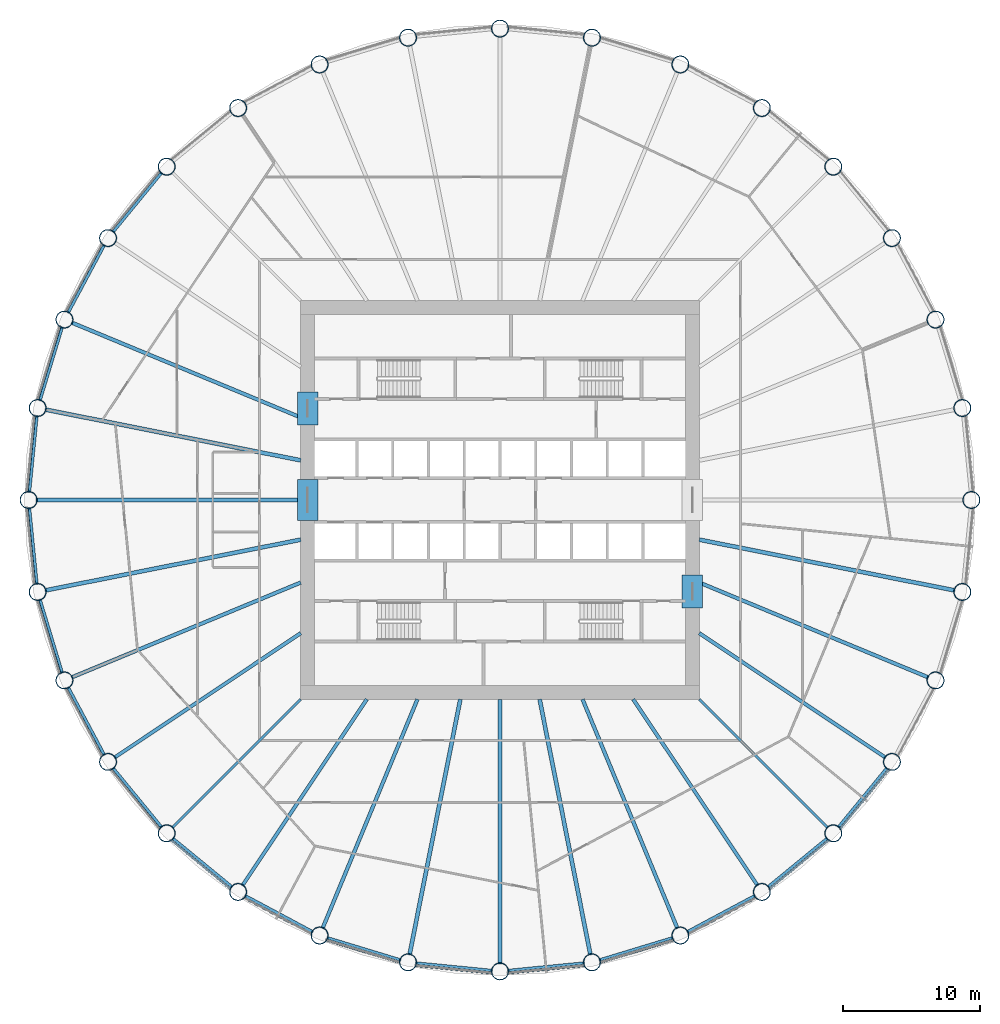
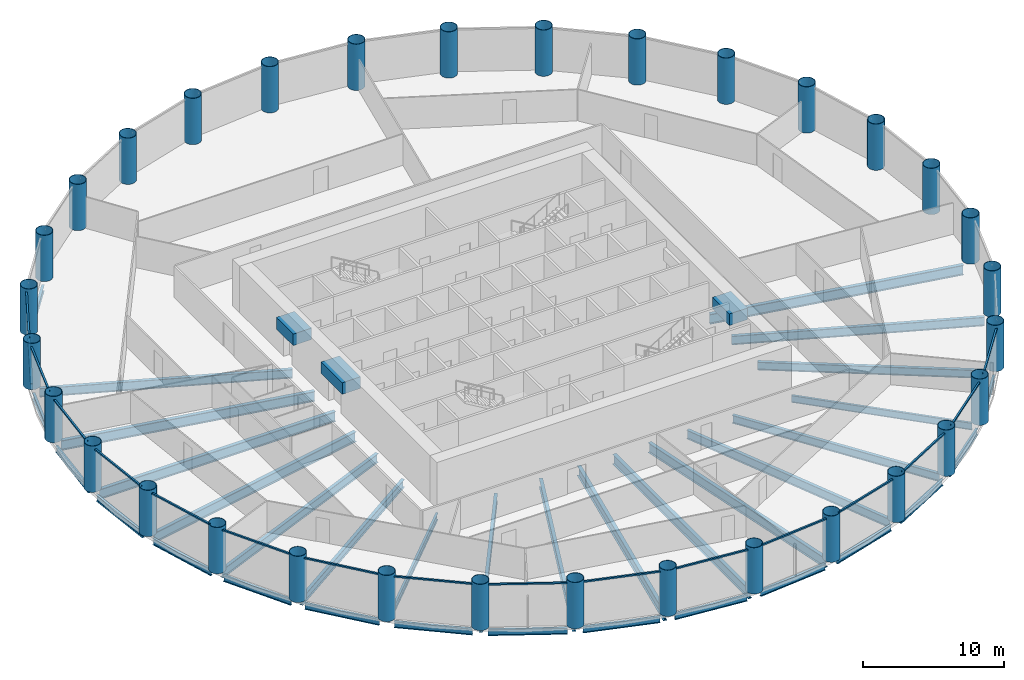
# One storey, part 1 of 9: 38 beams, 32 columns, 16 members, 16 elements without a shape of their own.
"""IFC4 building model written with IfcOpenShell, lengths in metres."""

from ifc_helpers import new_model, si_unit, direction, frame, origin, origin_2d, place, context, subcontext, project, spatial, rectangle, hollow_circle, i_section, extrude, material, material_profile, profile_set, type_object, element, aggregate, save


model = new_model("IFC4")

# Units and contexts
model_context = context("Model", 3, precision=1e-05, world=origin(), true_north=direction((0.0, 1.0)))
body_context = subcontext(model_context, "Body", "Model", "MODEL_VIEW")
ifc_project = project(units=[si_unit("LENGTHUNIT", "METRE"), si_unit("AREAUNIT", "SQUARE_METRE"), si_unit("VOLUMEUNIT", "CUBIC_METRE"), si_unit("PLANEANGLEUNIT", "RADIAN"), si_unit("MASSUNIT", "GRAM", prefix="KILO")], contexts=[model_context])

# Site, building, storey
site_placement = place(None, origin())
site = spatial("IfcSite", under=ifc_project, at=site_placement, CompositionType="ELEMENT")
building_placement = place(site_placement, origin())
building = spatial("IfcBuilding", under=site, at=building_placement, Name="Corvane Civic Tower", CompositionType="ELEMENT")
storey_placement = place(building_placement, frame((0.0, 0.0, 98.5)))
storey = spatial("IfcBuildingStorey", under=building, at=storey_placement, Name="L22", CompositionType="ELEMENT", Elevation=98.5)

# Columns
ifc_material_1 = material(Name="Steel ASTM A572 Gr 50", Category="steel")
ifc_material_profile_1 = material_profile(ifc_material_1, hollow_circle(Radius=0.625, WallThickness=0.035888671875, at=origin_2d()), Name="CHS1250X36")
ifc_profile_set_1 = profile_set([ifc_material_profile_1], Name="Steel ASTM A572 Gr 50")
column_type = type_object("IfcColumnType", Name="COMPOSITE COLUMN CHS1250X36", PredefinedType="COLUMN", material=ifc_profile_set_1)
for number, where, z_axis, x_axis, name in (
    (1, (0.0, 34.300048828125, 0.0), (0.0, 0.0, 1.0), (1.0, 0.0, 0.0), "COL-L22-B01"),
    (2, (6.691650390625, 33.640869140625, 0.0), (0.0, 0.0, 1.0), (1.0, 0.0, 0.0), "COL-L22-B02"),
    (3, (13.1259765625, 31.68896484375, 0.0), (0.0, 0.0, 1.0), (1.0, 0.0, 0.0), "COL-L22-B03"),
    (4, (19.05615234375, 28.519287109375, 0.0), (0.0, 0.0, 1.0), (1.0, 0.0, 0.0), "COL-L22-B04"),
    (5, (24.253662109375, 24.253662109375, 0.0), (0.0, 0.0, 1.0), (1.0, 0.0, 0.0), "COL-L22-B05"),
    (6, (28.519287109375, 19.05615234375, 0.0), (0.0, 0.0, 1.0), (1.0, 0.0, 0.0), "COL-L22-B06"),
    (7, (31.68896484375, 13.1259765625, 0.0), (0.0, 0.0, 1.0), (1.0, 0.0, 0.0), "COL-L22-B07"),
    (8, (33.640869140625, 6.691650390625, 0.0), (0.0, 0.0, 1.0), (1.0, 0.0, 0.0), "COL-L22-B08"),
    (9, (34.300048828125, 0.0, 0.0), (0.0, 0.0, 1.0), (1.0, 0.0, 0.0), "COL-L22-B09"),
    (10, (33.640869140625, -6.691650390625, 0.0), (0.0, 0.0, 1.0), (1.0, 0.0, 0.0), "COL-L22-B10"),
    (11, (31.68896484375, -13.1259765625, 0.0), (0.0, 0.0, 1.0), (1.0, 0.0, 0.0), "COL-L22-B11"),
    (12, (28.519287109375, -19.05615234375, 0.0), (0.0, 0.0, 1.0), (1.0, 0.0, 0.0), "COL-L22-B12"),
    (13, (24.253662109375, -24.253662109375, 0.0), (0.0, 0.0, 1.0), (1.0, 0.0, 0.0), "COL-L22-B13"),
    (14, (19.05615234375, -28.519287109375, 0.0), (0.0, 0.0, 1.0), (1.0, 0.0, 0.0), "COL-L22-B14"),
    (15, (13.1259765625, -31.68896484375, 0.0), (0.0, 0.0, 1.0), (1.0, 0.0, 0.0), "COL-L22-B15"),
    (16, (6.691650390625, -33.640869140625, 0.0), (0.0, 0.0, 1.0), (1.0, 0.0, 0.0), "COL-L22-B16"),
    (17, (0.0, -34.300048828125, 0.0), (0.0, 0.0, 1.0), (1.0, 0.0, 0.0), "COL-L22-B17"),
    (18, (-6.691650390625, -33.640869140625, 0.0), (0.0, 0.0, 1.0), (1.0, 0.0, 0.0), "COL-L22-B18"),
    (19, (-13.1259765625, -31.68896484375, 0.0), (0.0, 0.0, 1.0), (1.0, 0.0, 0.0), "COL-L22-B19"),
    (20, (-19.05615234375, -28.519287109375, 0.0), (0.0, 0.0, 1.0), (1.0, 0.0, 0.0), "COL-L22-B20"),
    (21, (-24.253662109375, -24.253662109375, 0.0), (0.0, 0.0, 1.0), (1.0, 0.0, 0.0), "COL-L22-B21"),
    (22, (-28.519287109375, -19.05615234375, 0.0), (0.0, 0.0, 1.0), (1.0, 0.0, 0.0), "COL-L22-B22"),
    (23, (-31.68896484375, -13.1259765625, 0.0), (0.0, 0.0, 1.0), (1.0, 0.0, 0.0), "COL-L22-B23"),
    (24, (-33.640869140625, -6.691650390625, 0.0), (0.0, 0.0, 1.0), (1.0, 0.0, 0.0), "COL-L22-B24"),
    (25, (-34.300048828125, 0.0, 0.0), (0.0, 0.0, 1.0), (1.0, 0.0, 0.0), "COL-L22-B25"),
    (26, (-33.640869140625, 6.691650390625, 0.0), (0.0, 0.0, 1.0), (1.0, 0.0, 0.0), "COL-L22-B26"),
    (27, (-31.68896484375, 13.1259765625, 0.0), (0.0, 0.0, 1.0), (1.0, 0.0, 0.0), "COL-L22-B27"),
    (28, (-28.519287109375, 19.05615234375, 0.0), (0.0, 0.0, 1.0), (1.0, 0.0, 0.0), "COL-L22-B28"),
    (29, (-24.253662109375, 24.253662109375, 0.0), (0.0, 0.0, 1.0), (1.0, 0.0, 0.0), "COL-L22-B29"),
    (30, (-19.05615234375, 28.519287109375, 0.0), (0.0, 0.0, 1.0), (1.0, 0.0, 0.0), "COL-L22-B30"),
    (31, (-13.1259765625, 31.68896484375, 0.0), (0.0, 0.0, 1.0), (1.0, 0.0, 0.0), "COL-L22-B31"),
    (32, (-6.691650390625, 33.640869140625, 0.0), (0.0, 0.0, 1.0), (1.0, 0.0, 0.0), "COL-L22-B32"),
):
    element("IfcColumn", number, at=place(storey_placement, frame(where, z_axis=z_axis, x_axis=x_axis)), inside=storey, type_object=column_type, Name=name, PredefinedType="COLUMN", context=body_context, shape_type="SweptSolid", body=[
        extrude(hollow_circle(Radius=0.625, WallThickness=0.035888671875, at=origin_2d()), origin(), (0.0, 0.0, 1.0), 4.0),
    ])

# Beams
ifc_material_2 = material(Name="Concrete C70/85", Category="concrete")
ifc_material_profile_2 = material_profile(ifc_material_2, rectangle(XDim=1.5, YDim=1.0, at=origin_2d()), Name="COUPLING BEAM 1500X1000")
ifc_profile_set_2 = profile_set([ifc_material_profile_2], Name="Concrete C70/85")
beam_type_1 = type_object("IfcBeamType", Name="COUPLING BEAM COUPLING BEAM 1500X1000", PredefinedType="BEAM", material=ifc_profile_set_2)
beam_1_placement = place(storey_placement, frame((-14.0, -1.5, 2.60009765625), z_axis=(0.0, 1.0, 0.0), x_axis=(-1.0, 0.0, 0.0)))
element("IfcBeam", 33, at=beam_1_placement, inside=storey, type_object=beam_type_1, Name="BM-L22-cpl-CW-LW", PredefinedType="BEAM", context=body_context, shape_type="SweptSolid", body=[
    extrude(rectangle(XDim=1.5, YDim=1.0, at=origin_2d()), origin(), (0.0, 0.0, 1.0), 3.0),
])
for number, where, z_axis, x_axis, name in (
    (34, (-14.0, 5.449951171875, 2.60009765625), (0.0, 1.0, 0.0), (-1.0, 0.0, 0.0), "BM-L22-cpl-CW-WN"),
    (35, (14.0, -7.85009765625, 2.60009765625), (0.0, 1.0, 0.0), (-1.0, 0.0, 0.0), "BM-L22-cpl-CW-ES"),
):
    element("IfcBeam", number, at=place(storey_placement, frame(where, z_axis=z_axis, x_axis=x_axis)), inside=storey, type_object=beam_type_1, Name=name, PredefinedType="BEAM", context=body_context, shape_type="SweptSolid", body=[
        extrude(rectangle(XDim=1.5, YDim=1.0, at=origin_2d()), origin(), (0.0, 0.0, 1.0), 2.400146484375),
    ])
ifc_material_3 = material(Name="Steel ASTM A992 Gr 50", Category="steel")
ifc_material_profile_3 = material_profile(ifc_material_3, i_section(OverallWidth=0.209228515625, OverallDepth=0.533447265625, WebThickness=0.01025390625, FlangeThickness=0.015625, at=origin_2d()), Name="W21X62")
ifc_profile_set_3 = profile_set([ifc_material_profile_3], Name="Steel ASTM A992 Gr 50")
beam_type_2 = type_object("IfcBeamType", Name="EDGE BEAM W21X62", PredefinedType="BEAM", material=ifc_profile_set_3)
for number, where, z_axis, x_axis, name in (
    (36, (28.17041015625, -19.481201171875, -0.566650390625), (-0.634397765782, -0.773006775372, 0.0), (0.773006775372, -0.634397765782, 0.0), "BM-L22-E12"),
    (37, (23.82861328125, -24.6025390625, -0.566650390625), (-0.773006775372, -0.634397765782, 0.0), (0.634397765782, -0.773006775372, 0.0), "BM-L22-E13"),
    (38, (18.571044921875, -28.778564453125, -0.566650390625), (-0.88192357867, -0.471392407008, 0.0), (0.471392407008, -0.88192357867, 0.0), "BM-L22-E14"),
):
    element("IfcBeam", number, at=place(storey_placement, frame(where, z_axis=z_axis, x_axis=x_axis)), inside=storey, type_object=beam_type_2, Name=name, PredefinedType="BEAM", context=body_context, shape_type="SweptSolid", body=[
        extrude(i_section(OverallWidth=0.209228515625, OverallDepth=0.533447265625, WebThickness=0.01025390625, FlangeThickness=0.015625, at=origin_2d()), origin(), (0.0, 0.0, 1.0), 5.6240234375),
    ])
beam_2_placement = place(storey_placement, frame((12.599609375, -31.8486328125, -0.566650390625), z_axis=(-0.956936367498, -0.290297758448, 0.0), x_axis=(0.290297758448, -0.956936367498, 0.0)))
element("IfcBeam", 39, at=beam_2_placement, inside=storey, type_object=beam_type_2, Name="BM-L22-E15", PredefinedType="BEAM", context=body_context, shape_type="SweptSolid", body=[
    extrude(i_section(OverallWidth=0.209228515625, OverallDepth=0.533447265625, WebThickness=0.01025390625, FlangeThickness=0.015625, at=origin_2d()), origin(), (0.0, 0.0, 1.0), 5.623779296875),
])
for number, where, z_axis, x_axis, name in (
    (40, (6.144287109375, -33.69482421875, -0.566650390625), (-0.995184368522, -0.098020776625, 0.0), (0.098020776625, -0.995184368522, 0.0), "BM-L22-E16"),
    (41, (-0.54736328125, -34.24609375, -0.566650390625), (-0.995184368522, 0.098020776625, 0.0), (-0.098020776625, -0.995184368522, 0.0), "BM-L22-E17"),
):
    element("IfcBeam", number, at=place(storey_placement, frame(where, z_axis=z_axis, x_axis=x_axis)), inside=storey, type_object=beam_type_2, Name=name, PredefinedType="BEAM", context=body_context, shape_type="SweptSolid", body=[
        extrude(i_section(OverallWidth=0.209228515625, OverallDepth=0.533447265625, WebThickness=0.01025390625, FlangeThickness=0.015625, at=origin_2d()), origin(), (0.0, 0.0, 1.0), 5.6240234375),
    ])
beam_3_placement = place(storey_placement, frame((-7.218017578125, -33.481201171875, -0.566650390625), z_axis=(-0.956936367498, 0.290297758448, 0.0), x_axis=(-0.290297758448, -0.956936367498, 0.0)))
element("IfcBeam", 42, at=beam_3_placement, inside=storey, type_object=beam_type_2, Name="BM-L22-E18", PredefinedType="BEAM", context=body_context, shape_type="SweptSolid", body=[
    extrude(i_section(OverallWidth=0.209228515625, OverallDepth=0.533447265625, WebThickness=0.01025390625, FlangeThickness=0.015625, at=origin_2d()), origin(), (0.0, 0.0, 1.0), 5.623779296875),
])
for number, where, z_axis, x_axis, name in (
    (43, (-13.611083984375, -31.4296875, -0.566650390625), (-0.88192357867, 0.471392407008, 0.0), (-0.471392407008, -0.88192357867, 0.0), "BM-L22-E19"),
    (44, (-19.481201171875, -28.17041015625, -0.566650390625), (-0.773006775372, 0.634397765782, 0.0), (-0.634397765782, -0.773006775372, 0.0), "BM-L22-E20"),
    (45, (-24.6025390625, -23.82861328125, -0.566650390625), (-0.634397765782, 0.773006775372, 0.0), (-0.773006775372, -0.634397765782, 0.0), "BM-L22-E21"),
    (46, (-28.778564453125, -18.571044921875, -0.566650390625), (-0.471392407008, 0.88192357867, 0.0), (-0.88192357867, -0.471392407008, 0.0), "BM-L22-E22"),
):
    element("IfcBeam", number, at=place(storey_placement, frame(where, z_axis=z_axis, x_axis=x_axis)), inside=storey, type_object=beam_type_2, Name=name, PredefinedType="BEAM", context=body_context, shape_type="SweptSolid", body=[
        extrude(i_section(OverallWidth=0.209228515625, OverallDepth=0.533447265625, WebThickness=0.01025390625, FlangeThickness=0.015625, at=origin_2d()), origin(), (0.0, 0.0, 1.0), 5.6240234375),
    ])
beam_4_placement = place(storey_placement, frame((-31.8486328125, -12.599609375, -0.566650390625), z_axis=(-0.290297758448, 0.956936367498, 0.0), x_axis=(-0.956936367498, -0.290297758448, 0.0)))
element("IfcBeam", 47, at=beam_4_placement, inside=storey, type_object=beam_type_2, Name="BM-L22-E23", PredefinedType="BEAM", context=body_context, shape_type="SweptSolid", body=[
    extrude(i_section(OverallWidth=0.209228515625, OverallDepth=0.533447265625, WebThickness=0.01025390625, FlangeThickness=0.015625, at=origin_2d()), origin(), (0.0, 0.0, 1.0), 5.623779296875),
])
for number, where, z_axis, x_axis, name in (
    (48, (-33.69482421875, -6.144287109375, -0.566650390625), (-0.098020776625, 0.995184368522, 0.0), (-0.995184368522, -0.098020776625, 0.0), "BM-L22-E24"),
    (49, (-34.24609375, 0.54736328125, -0.566650390625), (0.098020776625, 0.995184368522, 0.0), (-0.995184368522, 0.098020776625, 0.0), "BM-L22-E25"),
):
    element("IfcBeam", number, at=place(storey_placement, frame(where, z_axis=z_axis, x_axis=x_axis)), inside=storey, type_object=beam_type_2, Name=name, PredefinedType="BEAM", context=body_context, shape_type="SweptSolid", body=[
        extrude(i_section(OverallWidth=0.209228515625, OverallDepth=0.533447265625, WebThickness=0.01025390625, FlangeThickness=0.015625, at=origin_2d()), origin(), (0.0, 0.0, 1.0), 5.6240234375),
    ])
beam_5_placement = place(storey_placement, frame((-33.481201171875, 7.218017578125, -0.566650390625), z_axis=(0.290297758448, 0.956936367498, 0.0), x_axis=(-0.956936367498, 0.290297758448, 0.0)))
element("IfcBeam", 50, at=beam_5_placement, inside=storey, type_object=beam_type_2, Name="BM-L22-E26", PredefinedType="BEAM", context=body_context, shape_type="SweptSolid", body=[
    extrude(i_section(OverallWidth=0.209228515625, OverallDepth=0.533447265625, WebThickness=0.01025390625, FlangeThickness=0.015625, at=origin_2d()), origin(), (0.0, 0.0, 1.0), 5.623779296875),
])
for number, where, z_axis, x_axis, name in (
    (51, (-31.4296875, 13.611083984375, -0.566650390625), (0.471392407008, 0.88192357867, 0.0), (-0.88192357867, 0.471392407008, 0.0), "BM-L22-E27"),
    (52, (-28.17041015625, 19.481201171875, -0.566650390625), (0.634397765782, 0.773006775372, 0.0), (-0.773006775372, 0.634397765782, 0.0), "BM-L22-E28"),
):
    element("IfcBeam", number, at=place(storey_placement, frame(where, z_axis=z_axis, x_axis=x_axis)), inside=storey, type_object=beam_type_2, Name=name, PredefinedType="BEAM", context=body_context, shape_type="SweptSolid", body=[
        extrude(i_section(OverallWidth=0.209228515625, OverallDepth=0.533447265625, WebThickness=0.01025390625, FlangeThickness=0.015625, at=origin_2d()), origin(), (0.0, 0.0, 1.0), 5.6240234375),
    ])
ifc_material_4 = material(Name="Steel ASTM A992 Gr 50", Category="steel")
ifc_material_profile_4 = material_profile(ifc_material_4, i_section(OverallWidth=0.177978515625, OverallDepth=0.599365234375, WebThickness=0.010009765625, FlangeThickness=0.012939453125, at=origin_2d()), Name="W24X55")
ifc_profile_set_4 = profile_set([ifc_material_profile_4], Name="Steel ASTM A992 Gr 50")
beam_type_3 = type_object("IfcBeamType", Name="FLOOR GIRDER W24X55", PredefinedType="BEAM", material=ifc_profile_set_4)
for number, where, z_axis, x_axis, name in (
    (53, (14.5, -14.5, -0.599609375), (0.707106781187, -0.707106781187, 0.0), (0.707106781187, 0.707106781187, 0.0), "BM-L22-G13"),
    (54, (-14.5, -14.5, -0.599609375), (-0.707106781187, -0.707106781187, 0.0), (0.707106781187, -0.707106781187, 0.0), "BM-L22-G21"),
):
    element("IfcBeam", number, at=place(storey_placement, frame(where, z_axis=z_axis, x_axis=x_axis)), inside=storey, type_object=beam_type_3, Name=name, PredefinedType="BEAM", context=body_context, shape_type="SweptSolid", body=[
        extrude(i_section(OverallWidth=0.177978515625, OverallDepth=0.599365234375, WebThickness=0.010009765625, FlangeThickness=0.012939453125, at=origin_2d()), origin(), (0.0, 0.0, 1.0), 13.24365234375),
    ])
ifc_material_5 = material(Name="Steel ASTM A992 Gr 50", Category="steel")
ifc_material_profile_5 = material_profile(ifc_material_5, i_section(OverallWidth=0.256591796875, OverallDepth=0.693359375, WebThickness=0.014404296875, FlangeThickness=0.023681640625, at=origin_2d()), Name="W27X114")
ifc_profile_set_5 = profile_set([ifc_material_profile_5], Name="Steel ASTM A992 Gr 50")
beam_type_4 = type_object("IfcBeamType", Name="FLOOR GIRDER W27X114", PredefinedType="BEAM", material=ifc_profile_set_5)
for number, where, z_axis, x_axis, name in (
    (55, (14.5, -9.6884765625, -0.646728515625), (0.83146493365, -0.555577235054, 0.0), (0.555577235054, 0.83146493365, 0.0), "BM-L22-G12"),
    (56, (9.6884765625, -14.5, -0.646728515625), (0.555577235054, -0.83146493365, 0.0), (0.83146493365, 0.555577235054, 0.0), "BM-L22-G14"),
    (57, (-9.6884765625, -14.5, -0.646728515625), (-0.555577235054, -0.83146493365, 0.0), (0.83146493365, -0.555577235054, 0.0), "BM-L22-G20"),
    (58, (-14.5, -9.6884765625, -0.646728515625), (-0.83146493365, -0.555577235054, 0.0), (0.555577235054, -0.83146493365, 0.0), "BM-L22-G22"),
):
    element("IfcBeam", number, at=place(storey_placement, frame(where, z_axis=z_axis, x_axis=x_axis)), inside=storey, type_object=beam_type_4, Name=name, PredefinedType="BEAM", context=body_context, shape_type="SweptSolid", body=[
        extrude(i_section(OverallWidth=0.256591796875, OverallDepth=0.693359375, WebThickness=0.014404296875, FlangeThickness=0.023681640625, at=origin_2d()), origin(), (0.0, 0.0, 1.0), 16.31103515625),
    ])
ifc_material_6 = material(Name="Steel ASTM A992 Gr 50", Category="steel")
ifc_material_profile_6 = material_profile(ifc_material_6, i_section(OverallWidth=0.2666015625, OverallDepth=0.7568359375, WebThickness=0.013916015625, FlangeThickness=0.019287109375, at=origin_2d()), Name="W30X108")
ifc_profile_set_6 = profile_set([ifc_material_profile_6], Name="Steel ASTM A992 Gr 50")
beam_type_5 = type_object("IfcBeamType", Name="FLOOR GIRDER W30X108", PredefinedType="BEAM", material=ifc_profile_set_6)
for number, where, z_axis, x_axis, name in (
    (59, (14.5, -6.006103515625, -0.678466796875), (0.923880209691, -0.382681797504, 0.0), (0.382681797504, 0.923880209691, 0.0), "BM-L22-G11"),
    (60, (6.006103515625, -14.5, -0.678466796875), (0.382681797504, -0.923880209691, 0.0), (0.923880209691, 0.382681797504, 0.0), "BM-L22-G15"),
    (61, (-6.006103515625, -14.5, -0.678466796875), (-0.382681797504, -0.923880209691, 0.0), (0.923880209691, -0.382681797504, 0.0), "BM-L22-G19"),
    (62, (-14.5, -6.006103515625, -0.678466796875), (-0.923880209691, -0.382681797504, 0.0), (0.382681797504, -0.923880209691, 0.0), "BM-L22-G23"),
    (63, (-14.5, 6.006103515625, -0.678466796875), (-0.923880209691, 0.382681797504, 0.0), (-0.382681797504, -0.923880209691, 0.0), "BM-L22-G27"),
):
    element("IfcBeam", number, at=place(storey_placement, frame(where, z_axis=z_axis, x_axis=x_axis)), inside=storey, type_object=beam_type_5, Name=name, PredefinedType="BEAM", context=body_context, shape_type="SweptSolid", body=[
        extrude(i_section(OverallWidth=0.2666015625, OverallDepth=0.7568359375, WebThickness=0.013916015625, FlangeThickness=0.019287109375, at=origin_2d()), origin(), (0.0, 0.0, 1.0), 18.05517578125),
    ])
ifc_material_7 = material(Name="Steel ASTM A992 Gr 50", Category="steel")
ifc_material_profile_7 = material_profile(ifc_material_7, i_section(OverallWidth=0.2919921875, OverallDepth=0.8583984375, WebThickness=0.01708984375, FlangeThickness=0.031005859375, at=origin_2d()), Name="W33X169")
ifc_profile_set_7 = profile_set([ifc_material_profile_7], Name="Steel ASTM A992 Gr 50")
beam_type_6 = type_object("IfcBeamType", Name="FLOOR GIRDER W33X169", PredefinedType="BEAM", material=ifc_profile_set_7)
for number, where, z_axis, x_axis, name in (
    (64, (14.5, -2.88427734375, -0.729248046875), (0.9807865885, -0.195083745652, 0.0), (0.195083745652, 0.9807865885, 0.0), "BM-L22-G10"),
    (65, (2.88427734375, -14.5, -0.729248046875), (0.195083745652, -0.9807865885, 0.0), (0.9807865885, 0.195083745652, 0.0), "BM-L22-G16"),
):
    element("IfcBeam", number, at=place(storey_placement, frame(where, z_axis=z_axis, x_axis=x_axis)), inside=storey, type_object=beam_type_6, Name=name, PredefinedType="BEAM", context=body_context, shape_type="SweptSolid", body=[
        extrude(i_section(OverallWidth=0.2919921875, OverallDepth=0.8583984375, WebThickness=0.01708984375, FlangeThickness=0.031005859375, at=origin_2d()), origin(), (0.0, 0.0, 1.0), 18.966064453125),
    ])
beam_6_placement = place(storey_placement, frame((0.0, -14.5, -0.729248046875), z_axis=(0.0, -1.0, 0.0), x_axis=(1.0, 0.0, 0.0)))
element("IfcBeam", 66, at=beam_6_placement, inside=storey, type_object=beam_type_6, Name="BM-L22-G17", PredefinedType="BEAM", context=body_context, shape_type="SweptSolid", body=[
    extrude(i_section(OverallWidth=0.2919921875, OverallDepth=0.8583984375, WebThickness=0.01708984375, FlangeThickness=0.031005859375, at=origin_2d()), origin(), (0.0, 0.0, 1.0), 19.25),
])
for number, where, z_axis, x_axis, name in (
    (67, (-2.88427734375, -14.5, -0.729248046875), (-0.195083745652, -0.9807865885, 0.0), (0.9807865885, -0.195083745652, 0.0), "BM-L22-G18"),
    (68, (-14.5, -2.88427734375, -0.729248046875), (-0.9807865885, -0.195083745652, 0.0), (0.195083745652, -0.9807865885, 0.0), "BM-L22-G24"),
):
    element("IfcBeam", number, at=place(storey_placement, frame(where, z_axis=z_axis, x_axis=x_axis)), inside=storey, type_object=beam_type_6, Name=name, PredefinedType="BEAM", context=body_context, shape_type="SweptSolid", body=[
        extrude(i_section(OverallWidth=0.2919921875, OverallDepth=0.8583984375, WebThickness=0.01708984375, FlangeThickness=0.031005859375, at=origin_2d()), origin(), (0.0, 0.0, 1.0), 18.966064453125),
    ])
beam_7_placement = place(storey_placement, frame((-14.5, 0.0, -0.729248046875), z_axis=(-1.0, 0.0, 0.0), x_axis=(0.0, -1.0, 0.0)))
element("IfcBeam", 69, at=beam_7_placement, inside=storey, type_object=beam_type_6, Name="BM-L22-G25", PredefinedType="BEAM", context=body_context, shape_type="SweptSolid", body=[
    extrude(i_section(OverallWidth=0.2919921875, OverallDepth=0.8583984375, WebThickness=0.01708984375, FlangeThickness=0.031005859375, at=origin_2d()), origin(), (0.0, 0.0, 1.0), 19.25),
])
beam_8_placement = place(storey_placement, frame((-14.5, 2.88427734375, -0.729248046875), z_axis=(-0.9807865885, 0.195083745652, 0.0), x_axis=(-0.195083745652, -0.9807865885, 0.0)))
element("IfcBeam", 70, at=beam_8_placement, inside=storey, type_object=beam_type_6, Name="BM-L22-G26", PredefinedType="BEAM", context=body_context, shape_type="SweptSolid", body=[
    extrude(i_section(OverallWidth=0.2919921875, OverallDepth=0.8583984375, WebThickness=0.01708984375, FlangeThickness=0.031005859375, at=origin_2d()), origin(), (0.0, 0.0, 1.0), 18.966064453125),
])

# Curtain wall, member
ifc_material_8 = material(Name="Anodised aluminium bronze", Category="aluminium")
curtain_wall_type = type_object("IfcCurtainWallType", Name="TOWER CW-T1 STICK CURTAIN WALL", PredefinedType="NOTDEFINED", material=ifc_material_8)
curtain_wall_1_placement = place(storey_placement, origin())
curtain_wall_1 = element("IfcCurtainWall", 71, at=curtain_wall_1_placement, inside=storey, type_object=curtain_wall_type, Name="Curtain wall CW-T1 L22 bay 12", PredefinedType="NOTDEFINED")
ifc_material_9 = material(Name="Anodised aluminium bronze", Category="aluminium")
ifc_material_profile_8 = material_profile(ifc_material_9, rectangle(XDim=0.139892578125, YDim=0.1201171875, at=origin_2d()), Name="TOWER CW-T1 TRANSOM 140x120")
ifc_profile_set_8 = profile_set([ifc_material_profile_8], Name="Anodised aluminium bronze")
member_type = type_object("IfcMemberType", Name="TOWER CW-T1 TRANSOM 140x120", PredefinedType="USERDEFINED", material=ifc_profile_set_8)
member_1_placement = place(storey_placement, frame((28.297119140625, -19.609619140625, 3.68994140625), z_axis=(-0.634410369295, -0.772996431642, 0.0), x_axis=(0.772996431642, -0.634410369295, 0.0)))
member_1 = element("IfcMember", 72, at=member_1_placement, type_object=member_type, Name="Transom CW-T1 L22 12.1", ObjectType="TRANSOM", PredefinedType="USERDEFINED", context=body_context, shape_type="SweptSolid", body=[
    extrude(rectangle(XDim=0.139892578125, YDim=0.1201171875, at=origin_2d()), origin(), (0.0, 0.0, 1.0), 5.586181640625),
])
aggregate(curtain_wall_1, [member_1])

curtain_wall_2_placement = place(storey_placement, origin())
curtain_wall_2 = element("IfcCurtainWall", 73, at=curtain_wall_2_placement, inside=storey, type_object=curtain_wall_type, Name="Curtain wall CW-T1 L22 bay 13", PredefinedType="NOTDEFINED")
member_2_placement = place(storey_placement, frame((23.927734375, -24.753173828125, 3.68994140625), z_axis=(-0.772996431642, -0.634410369295, 0.0), x_axis=(0.634410369295, -0.772996431642, 0.0)))
member_2 = element("IfcMember", 74, at=member_2_placement, type_object=member_type, Name="Transom CW-T1 L22 13.1", ObjectType="TRANSOM", PredefinedType="USERDEFINED", context=body_context, shape_type="SweptSolid", body=[
    extrude(rectangle(XDim=0.139892578125, YDim=0.1201171875, at=origin_2d()), origin(), (0.0, 0.0, 1.0), 5.586181640625),
])
aggregate(curtain_wall_2, [member_2])

curtain_wall_3_placement = place(storey_placement, origin())
curtain_wall_3 = element("IfcCurtainWall", 75, at=curtain_wall_3_placement, inside=storey, type_object=curtain_wall_type, Name="Curtain wall CW-T1 L22 bay 14", PredefinedType="NOTDEFINED")
member_3_placement = place(storey_placement, frame((18.63916015625, -28.945556640625, 3.68994140625), z_axis=(-0.881920705407, -0.47139778253, 0.0), x_axis=(0.47139778253, -0.881920705407, 0.0)))
member_3 = element("IfcMember", 76, at=member_3_placement, type_object=member_type, Name="Transom CW-T1 L22 14.1", ObjectType="TRANSOM", PredefinedType="USERDEFINED", context=body_context, shape_type="SweptSolid", body=[
    extrude(rectangle(XDim=0.139892578125, YDim=0.1201171875, at=origin_2d()), origin(), (0.0, 0.0, 1.0), 5.586669921875),
])
aggregate(curtain_wall_3, [member_3])

curtain_wall_4_placement = place(storey_placement, origin())
curtain_wall_4 = element("IfcCurtainWall", 77, at=curtain_wall_4_placement, inside=storey, type_object=curtain_wall_type, Name="Curtain wall CW-T1 L22 bay 15", PredefinedType="NOTDEFINED")
member_4_placement = place(storey_placement, frame((12.6337890625, -32.025634765625, 3.68994140625), z_axis=(-0.956944977029, -0.290269376509, 0.0), x_axis=(0.290269376509, -0.956944977029, 0.0)))
member_4 = element("IfcMember", 78, at=member_4_placement, type_object=member_type, Name="Transom CW-T1 L22 15.1", ObjectType="TRANSOM", PredefinedType="USERDEFINED", context=body_context, shape_type="SweptSolid", body=[
    extrude(rectangle(XDim=0.139892578125, YDim=0.1201171875, at=origin_2d()), origin(), (0.0, 0.0, 1.0), 5.58642578125),
])
aggregate(curtain_wall_4, [member_4])

curtain_wall_5_placement = place(storey_placement, origin())
curtain_wall_5 = element("IfcCurtainWall", 79, at=curtain_wall_5_placement, inside=storey, type_object=curtain_wall_type, Name="Curtain wall CW-T1 L22 bay 16", PredefinedType="NOTDEFINED")
member_5_placement = place(storey_placement, frame((6.14306640625, -33.874755859375, 3.68994140625), z_axis=(-0.995179807033, -0.098067077419, 0.0), x_axis=(0.098067077419, -0.995179807033, 0.0)))
member_5 = element("IfcMember", 80, at=member_5_placement, type_object=member_type, Name="Transom CW-T1 L22 16.1", ObjectType="TRANSOM", PredefinedType="USERDEFINED", context=body_context, shape_type="SweptSolid", body=[
    extrude(rectangle(XDim=0.139892578125, YDim=0.1201171875, at=origin_2d()), origin(), (0.0, 0.0, 1.0), 5.58642578125),
])
aggregate(curtain_wall_5, [member_5])

curtain_wall_6_placement = place(storey_placement, origin())
curtain_wall_6 = element("IfcCurtainWall", 81, at=curtain_wall_6_placement, inside=storey, type_object=curtain_wall_type, Name="Curtain wall CW-T1 L22 bay 17", PredefinedType="NOTDEFINED")
member_6_placement = place(storey_placement, frame((-0.58349609375, -34.422607421875, 3.68994140625), z_axis=(-0.995179807033, 0.098067077419, 0.0), x_axis=(-0.098067077419, -0.995179807033, 0.0)))
member_6 = element("IfcMember", 82, at=member_6_placement, type_object=member_type, Name="Transom CW-T1 L22 17.1", ObjectType="TRANSOM", PredefinedType="USERDEFINED", context=body_context, shape_type="SweptSolid", body=[
    extrude(rectangle(XDim=0.139892578125, YDim=0.1201171875, at=origin_2d()), origin(), (0.0, 0.0, 1.0), 5.58642578125),
])
aggregate(curtain_wall_6, [member_6])

curtain_wall_7_placement = place(storey_placement, origin())
curtain_wall_7 = element("IfcCurtainWall", 83, at=curtain_wall_7_placement, inside=storey, type_object=curtain_wall_type, Name="Curtain wall CW-T1 L22 bay 18", PredefinedType="NOTDEFINED")
member_7_placement = place(storey_placement, frame((-7.287841796875, -33.647216796875, 3.68994140625), z_axis=(-0.956944977029, 0.290269376509, 0.0), x_axis=(-0.290269376509, -0.956944977029, 0.0)))
member_7 = element("IfcMember", 84, at=member_7_placement, type_object=member_type, Name="Transom CW-T1 L22 18.1", ObjectType="TRANSOM", PredefinedType="USERDEFINED", context=body_context, shape_type="SweptSolid", body=[
    extrude(rectangle(XDim=0.139892578125, YDim=0.1201171875, at=origin_2d()), origin(), (0.0, 0.0, 1.0), 5.58642578125),
])
aggregate(curtain_wall_7, [member_7])

curtain_wall_8_placement = place(storey_placement, origin())
curtain_wall_8 = element("IfcCurtainWall", 85, at=curtain_wall_8_placement, inside=storey, type_object=curtain_wall_type, Name="Curtain wall CW-T1 L22 bay 19", PredefinedType="NOTDEFINED")
member_8_placement = place(storey_placement, frame((-13.712158203125, -31.5791015625, 3.68994140625), z_axis=(-0.881920705407, 0.47139778253, 0.0), x_axis=(-0.47139778253, -0.881920705407, 0.0)))
member_8 = element("IfcMember", 86, at=member_8_placement, type_object=member_type, Name="Transom CW-T1 L22 19.1", ObjectType="TRANSOM", PredefinedType="USERDEFINED", context=body_context, shape_type="SweptSolid", body=[
    extrude(rectangle(XDim=0.139892578125, YDim=0.1201171875, at=origin_2d()), origin(), (0.0, 0.0, 1.0), 5.586669921875),
])
aggregate(curtain_wall_8, [member_8])

curtain_wall_9_placement = place(storey_placement, origin())
curtain_wall_9 = element("IfcCurtainWall", 87, at=curtain_wall_9_placement, inside=storey, type_object=curtain_wall_type, Name="Curtain wall CW-T1 L22 bay 20", PredefinedType="NOTDEFINED")
member_9_placement = place(storey_placement, frame((-19.609619140625, -28.297119140625, 3.68994140625), z_axis=(-0.772996431642, 0.634410369295, 0.0), x_axis=(-0.634410369295, -0.772996431642, 0.0)))
member_9 = element("IfcMember", 88, at=member_9_placement, type_object=member_type, Name="Transom CW-T1 L22 20.1", ObjectType="TRANSOM", PredefinedType="USERDEFINED", context=body_context, shape_type="SweptSolid", body=[
    extrude(rectangle(XDim=0.139892578125, YDim=0.1201171875, at=origin_2d()), origin(), (0.0, 0.0, 1.0), 5.586181640625),
])
aggregate(curtain_wall_9, [member_9])

curtain_wall_10_placement = place(storey_placement, origin())
curtain_wall_10 = element("IfcCurtainWall", 89, at=curtain_wall_10_placement, inside=storey, type_object=curtain_wall_type, Name="Curtain wall CW-T1 L22 bay 21", PredefinedType="NOTDEFINED")
member_10_placement = place(storey_placement, frame((-24.753173828125, -23.927734375, 3.68994140625), z_axis=(-0.634410369295, 0.772996431642, 0.0), x_axis=(-0.772996431642, -0.634410369295, 0.0)))
member_10 = element("IfcMember", 90, at=member_10_placement, type_object=member_type, Name="Transom CW-T1 L22 21.1", ObjectType="TRANSOM", PredefinedType="USERDEFINED", context=body_context, shape_type="SweptSolid", body=[
    extrude(rectangle(XDim=0.139892578125, YDim=0.1201171875, at=origin_2d()), origin(), (0.0, 0.0, 1.0), 5.586181640625),
])
aggregate(curtain_wall_10, [member_10])

curtain_wall_11_placement = place(storey_placement, origin())
curtain_wall_11 = element("IfcCurtainWall", 91, at=curtain_wall_11_placement, inside=storey, type_object=curtain_wall_type, Name="Curtain wall CW-T1 L22 bay 22", PredefinedType="NOTDEFINED")
member_11_placement = place(storey_placement, frame((-28.945556640625, -18.63916015625, 3.68994140625), z_axis=(-0.47139778253, 0.881920705407, 0.0), x_axis=(-0.881920705407, -0.47139778253, 0.0)))
member_11 = element("IfcMember", 92, at=member_11_placement, type_object=member_type, Name="Transom CW-T1 L22 22.1", ObjectType="TRANSOM", PredefinedType="USERDEFINED", context=body_context, shape_type="SweptSolid", body=[
    extrude(rectangle(XDim=0.139892578125, YDim=0.1201171875, at=origin_2d()), origin(), (0.0, 0.0, 1.0), 5.586669921875),
])
aggregate(curtain_wall_11, [member_11])

curtain_wall_12_placement = place(storey_placement, origin())
curtain_wall_12 = element("IfcCurtainWall", 93, at=curtain_wall_12_placement, inside=storey, type_object=curtain_wall_type, Name="Curtain wall CW-T1 L22 bay 23", PredefinedType="NOTDEFINED")
member_12_placement = place(storey_placement, frame((-32.025634765625, -12.6337890625, 3.68994140625), z_axis=(-0.290269376509, 0.956944977029, 0.0), x_axis=(-0.956944977029, -0.290269376509, 0.0)))
member_12 = element("IfcMember", 94, at=member_12_placement, type_object=member_type, Name="Transom CW-T1 L22 23.1", ObjectType="TRANSOM", PredefinedType="USERDEFINED", context=body_context, shape_type="SweptSolid", body=[
    extrude(rectangle(XDim=0.139892578125, YDim=0.1201171875, at=origin_2d()), origin(), (0.0, 0.0, 1.0), 5.58642578125),
])
aggregate(curtain_wall_12, [member_12])

curtain_wall_13_placement = place(storey_placement, origin())
curtain_wall_13 = element("IfcCurtainWall", 95, at=curtain_wall_13_placement, inside=storey, type_object=curtain_wall_type, Name="Curtain wall CW-T1 L22 bay 24", PredefinedType="NOTDEFINED")
member_13_placement = place(storey_placement, frame((-33.874755859375, -6.14306640625, 3.68994140625), z_axis=(-0.098067077419, 0.995179807033, 0.0), x_axis=(-0.995179807033, -0.098067077419, 0.0)))
member_13 = element("IfcMember", 96, at=member_13_placement, type_object=member_type, Name="Transom CW-T1 L22 24.1", ObjectType="TRANSOM", PredefinedType="USERDEFINED", context=body_context, shape_type="SweptSolid", body=[
    extrude(rectangle(XDim=0.139892578125, YDim=0.1201171875, at=origin_2d()), origin(), (0.0, 0.0, 1.0), 5.58642578125),
])
aggregate(curtain_wall_13, [member_13])

curtain_wall_14_placement = place(storey_placement, origin())
curtain_wall_14 = element("IfcCurtainWall", 97, at=curtain_wall_14_placement, inside=storey, type_object=curtain_wall_type, Name="Curtain wall CW-T1 L22 bay 25", PredefinedType="NOTDEFINED")
member_14_placement = place(storey_placement, frame((-34.422607421875, 0.58349609375, 3.68994140625), z_axis=(0.098067077419, 0.995179807033, 0.0), x_axis=(-0.995179807033, 0.098067077419, 0.0)))
member_14 = element("IfcMember", 98, at=member_14_placement, type_object=member_type, Name="Transom CW-T1 L22 25.1", ObjectType="TRANSOM", PredefinedType="USERDEFINED", context=body_context, shape_type="SweptSolid", body=[
    extrude(rectangle(XDim=0.139892578125, YDim=0.1201171875, at=origin_2d()), origin(), (0.0, 0.0, 1.0), 5.58642578125),
])
aggregate(curtain_wall_14, [member_14])

curtain_wall_15_placement = place(storey_placement, origin())
curtain_wall_15 = element("IfcCurtainWall", 99, at=curtain_wall_15_placement, inside=storey, type_object=curtain_wall_type, Name="Curtain wall CW-T1 L22 bay 26", PredefinedType="NOTDEFINED")
member_15_placement = place(storey_placement, frame((-33.647216796875, 7.287841796875, 3.68994140625), z_axis=(0.290269376509, 0.956944977029, 0.0), x_axis=(-0.956944977029, 0.290269376509, 0.0)))
member_15 = element("IfcMember", 100, at=member_15_placement, type_object=member_type, Name="Transom CW-T1 L22 26.1", ObjectType="TRANSOM", PredefinedType="USERDEFINED", context=body_context, shape_type="SweptSolid", body=[
    extrude(rectangle(XDim=0.139892578125, YDim=0.1201171875, at=origin_2d()), origin(), (0.0, 0.0, 1.0), 5.58642578125),
])
aggregate(curtain_wall_15, [member_15])

curtain_wall_16_placement = place(storey_placement, origin())
curtain_wall_16 = element("IfcCurtainWall", 101, at=curtain_wall_16_placement, inside=storey, type_object=curtain_wall_type, Name="Curtain wall CW-T1 L22 bay 27", PredefinedType="NOTDEFINED")
member_16_placement = place(storey_placement, frame((-31.5791015625, 13.712158203125, 3.68994140625), z_axis=(0.47139778253, 0.881920705407, 0.0), x_axis=(-0.881920705407, 0.47139778253, 0.0)))
member_16 = element("IfcMember", 102, at=member_16_placement, type_object=member_type, Name="Transom CW-T1 L22 27.1", ObjectType="TRANSOM", PredefinedType="USERDEFINED", context=body_context, shape_type="SweptSolid", body=[
    extrude(rectangle(XDim=0.139892578125, YDim=0.1201171875, at=origin_2d()), origin(), (0.0, 0.0, 1.0), 5.586669921875),
])
aggregate(curtain_wall_16, [member_16])

save(model, "model.ifc")
